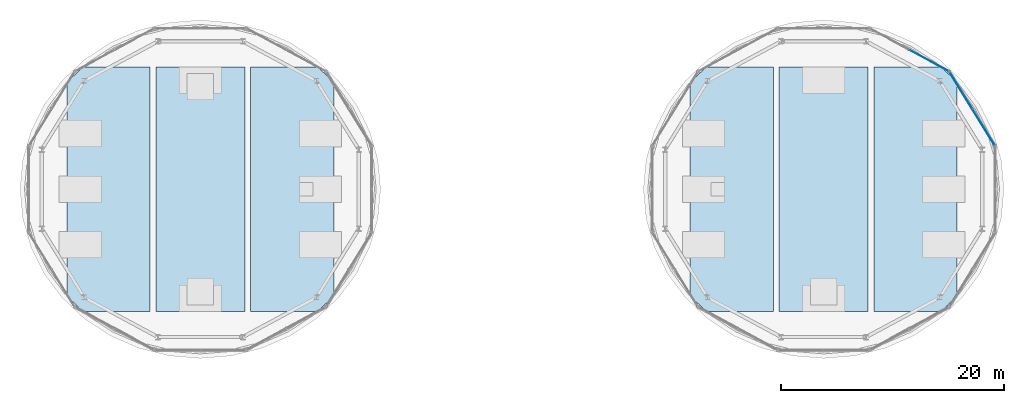
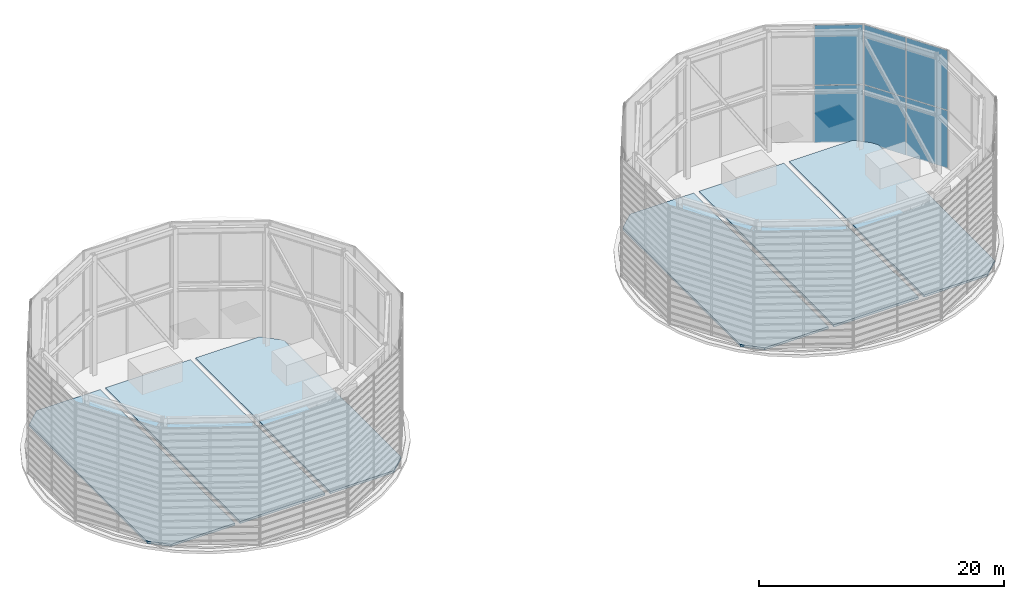
# One storey, part 12 of 17: 6 plates, 6 roofs, 2 elements without a shape of their own.
"""IFC4 building model written with IfcOpenShell, lengths in metres."""

import ifcopenshell
import ifcopenshell.guid

model = None  # the IFC model being written
_history = None  # IfcOwnerHistory: only IFC2X3 demands one
_inside = {}  # id of a spatial element -> (the spatial element, [elements in it])
_under = {}  # id of a project, library or spatial element -> (it, [spatial elements below it])
_declared = {}  # id of a project -> (the project, [libraries it declares])
_typed = {}  # id of a type object -> (the type object, [elements of that type])
_made_of = {}  # id of a material, layer set ... -> (it, [elements and type objects made of it])


def new_model(schema):
    """Start an empty IFC model of exactly this schema.

    Asked for "IFC4X3", IfcOpenShell would pick the latest addendum, in which some entities
    have other attributes; the version numbers below select the first issue.
    IFC2X3 requires an IfcOwnerHistory on every rooted entity: one is made here for all.
    """
    global model, _history
    if schema == "IFC4X3":
        model = ifcopenshell.file(schema_version=(4, 3, 0, 0))
    else:
        model = ifcopenshell.file(schema=schema)
    _inside.clear()
    _under.clear()
    _declared.clear()
    _typed.clear()
    _made_of.clear()
    _history = None
    if model.schema == "IFC2X3":
        org = make("IfcOrganization", Name="unknown")
        user = make(
            "IfcPersonAndOrganization",
            ThePerson=make("IfcPerson", FamilyName="unknown"),
            TheOrganization=org,
        )
        app = make(
            "IfcApplication",
            ApplicationDeveloper=org,
            Version="unknown",
            ApplicationFullName="unknown",
            ApplicationIdentifier="unknown",
        )
        _history = make(
            "IfcOwnerHistory",
            OwningUser=user,
            OwningApplication=app,
            ChangeAction="ADDED",
            CreationDate=0,
        )
    return model


def make(cls, **values):
    """One entity of the class cls with the attributes given. An attribute that is None is left unset."""
    return model.create_entity(
        cls, **{name: value for name, value in values.items() if value is not None}
    )


def rooted(cls, **values):
    """An entity with a GlobalId (a new one), such as an element, a storey or a relation."""
    return make(cls, GlobalId=ifcopenshell.guid.new(), OwnerHistory=_history, **values)


def si_unit(unit_type, name, prefix=None):
    """IfcSIUnit, for example si_unit("LENGTHUNIT", "METRE", prefix="MILLI")."""
    return make("IfcSIUnit", UnitType=unit_type, Prefix=prefix, Name=name)


def assignment(units):
    """IfcUnitAssignment: the units of a project."""
    return None if units is None else make("IfcUnitAssignment", Units=units)


def point(xyz):
    """IfcCartesianPoint."""
    return None if xyz is None else make("IfcCartesianPoint", Coordinates=xyz)


def direction(xyz):
    """IfcDirection."""
    return None if xyz is None else make("IfcDirection", DirectionRatios=xyz)


def frame(location, z_axis=None, x_axis=None):
    """IfcAxis2Placement3D, a coordinate frame: its origin and axes. An axis left out is left unset."""
    return make(
        "IfcAxis2Placement3D",
        Location=point(location),
        Axis=direction(z_axis),
        RefDirection=direction(x_axis),
    )


def frame_2d(location, x_axis=None):
    """IfcAxis2Placement2D, a coordinate frame in the plane: its origin and x axis."""
    return make(
        "IfcAxis2Placement2D", Location=point(location), RefDirection=direction(x_axis)
    )


def origin():
    """The frame at (0, 0, 0) with its axes left unset."""
    return frame((0.0, 0.0, 0.0))


def origin_2d():
    """The frame at (0, 0) in the plane with its x axis left unset."""
    return frame_2d((0.0, 0.0))


def place(relative_to, where):
    """IfcLocalPlacement: puts the frame where relative to a parent placement (None: the world)."""
    return make(
        "IfcLocalPlacement", PlacementRelTo=relative_to, RelativePlacement=where
    )


def context(
    kind, dimensions, precision=None, world=None, true_north=None, identifier=None
):
    """IfcGeometricRepresentationContext, for example the 3D "Model" context."""
    return make(
        "IfcGeometricRepresentationContext",
        ContextIdentifier=identifier,
        ContextType=kind,
        CoordinateSpaceDimension=dimensions,
        Precision=precision,
        WorldCoordinateSystem=world,
        TrueNorth=true_north,
    )


def subcontext(parent, identifier, kind, view, scale=None):
    """IfcGeometricRepresentationSubContext, for example "Body" below "Model"."""
    return make(
        "IfcGeometricRepresentationSubContext",
        ContextIdentifier=identifier,
        ContextType=kind,
        ParentContext=parent,
        TargetScale=scale,
        TargetView=view,
    )


def project(units=None, contexts=None):
    """IfcProject with its units and contexts."""
    return rooted(
        "IfcProject",
        Name="project",
        RepresentationContexts=contexts,
        UnitsInContext=assignment(units),
    )


def spatial(cls, under=None, at=None, **own):
    """A site, building, storey or space (cls), placed at a placement, below another one or the project."""
    s = rooted(cls, ObjectPlacement=at, **own)
    if under is not None:
        _under.setdefault(under.id(), (under, []))[1].append(s)
    return s


def polyline(points):
    """IfcPolyline through the points."""
    return make("IfcPolyline", Points=[point(p) for p in points])


def profile(cls, at=None, kind="AREA", **sizes):
    """A parametric profile (cls). Its sizes go by their IFC names, for example OverallWidth=200.0."""
    return make(cls, ProfileType=kind, Position=at, **sizes)


def rectangle(**sizes):
    """IfcRectangleProfileDef."""
    return profile("IfcRectangleProfileDef", **sizes)


def outline(outer, holes=None, kind="AREA"):
    """IfcArbitraryClosedProfileDef: a profile drawn as a closed curve; with holes, ...WithVoids."""
    if holes is None:
        return make("IfcArbitraryClosedProfileDef", ProfileType=kind, OuterCurve=outer)
    return make(
        "IfcArbitraryProfileDefWithVoids",
        ProfileType=kind,
        OuterCurve=outer,
        InnerCurves=holes,
    )


def extrude(swept, where, along, depth):
    """IfcExtrudedAreaSolid: the profile swept, set in the frame where, extruded along a direction by depth."""
    return make(
        "IfcExtrudedAreaSolid",
        SweptArea=swept,
        Position=where,
        ExtrudedDirection=direction(along),
        Depth=depth,
    )


def shape(context_of_items, identifier, shape_type, items):
    """IfcShapeRepresentation: the items that make up one representation, for example the "Body"."""
    return make(
        "IfcShapeRepresentation",
        ContextOfItems=context_of_items,
        RepresentationIdentifier=identifier,
        RepresentationType=shape_type,
        Items=items,
    )


def source(mapping_origin, context_of_items, identifier, shape_type, items):
    """IfcRepresentationMap: a shape defined once, which mapped items show again and again."""
    return make(
        "IfcRepresentationMap",
        MappingOrigin=mapping_origin,
        MappedRepresentation=shape(context_of_items, identifier, shape_type, items),
    )


def transform(
    local_origin,
    x_axis=None,
    y_axis=None,
    z_axis=None,
    scale=None,
    scale2=None,
    scale3=None,
    uniform=True,
):
    """IfcCartesianTransformationOperator3D, or its non-uniform kind. x_axis, y_axis, z_axis: its Axis1, 2, 3."""
    if uniform:
        return make(
            "IfcCartesianTransformationOperator3D",
            Axis1=direction(x_axis),
            Axis2=direction(y_axis),
            LocalOrigin=point(local_origin),
            Scale=scale,
            Axis3=direction(z_axis),
        )
    return make(
        "IfcCartesianTransformationOperator3DnonUniform",
        Axis1=direction(x_axis),
        Axis2=direction(y_axis),
        LocalOrigin=point(local_origin),
        Scale=scale,
        Axis3=direction(z_axis),
        Scale2=scale2,
        Scale3=scale3,
    )


def mapped(mapping_source, mapping_target):
    """IfcMappedItem: shows the shape of a source again, moved by a transform."""
    return make(
        "IfcMappedItem", MappingSource=mapping_source, MappingTarget=mapping_target
    )


def material(Name=None, Category=None):
    """IfcMaterial."""
    return make("IfcMaterial", Name=Name, Category=Category)


def layer(
    of_material, thickness, ventilated=None, Name=None, Category=None, Priority=None
):
    """IfcMaterialLayer: one layer of a wall or slab, of a material (None: an air gap)."""
    return make(
        "IfcMaterialLayer",
        Material=of_material,
        LayerThickness=thickness,
        IsVentilated=ventilated,
        Name=Name,
        Category=Category,
        Priority=Priority,
    )


def layer_set(layers, Name=None):
    """IfcMaterialLayerSet."""
    return make("IfcMaterialLayerSet", MaterialLayers=layers, LayerSetName=Name)


def made_of(thing, what):
    """Note that an element or type object is made of a material, layer set ...; save() writes the relation."""
    if what is not None:
        _made_of.setdefault(what.id(), (what, []))[1].append(thing)
    return thing


def type_object(cls, material=None, **own):
    """A type object (cls), such as IfcWallType, which elements share."""
    return made_of(rooted(cls, **own), material)


def type_shapes(of_type, sources):
    """Give a type object the sources (RepresentationMaps) that its elements show as mapped items."""
    of_type.RepresentationMaps = sources


def element(
    cls,
    number,
    at=None,
    inside=None,
    cuts=None,
    type_object=None,
    material=None,
    context=None,
    identifier="Body",
    shape_type=None,
    held_by="IfcProductDefinitionShape",
    body=None,
    shapes=None,
    **own,
):
    """One element of the class cls, such as IfcWall. Its Tag is "e" and its number.

    at: its placement. inside: the storey or other place that contains it. cuts: it is an
    opening in that element (IfcRelVoidsElement). A single representation is given by context,
    identifier, shape_type and body (its items); several are given by shapes. held_by: the class
    of the entity that holds the representations. save() writes the other relations.
    """
    e = rooted(cls, Tag="e%d" % number, ObjectPlacement=at, **own)
    if body is not None:
        shapes = [shape(context, identifier, shape_type, body)]
    if shapes is not None:
        e.Representation = make(held_by, Representations=shapes)
    if inside is not None:
        _inside.setdefault(inside.id(), (inside, []))[1].append(e)
    if cuts is not None:
        rooted(
            "IfcRelVoidsElement", RelatingBuildingElement=cuts, RelatedOpeningElement=e
        )
    if type_object is not None:
        _typed.setdefault(type_object.id(), (type_object, []))[1].append(e)
    return made_of(e, material)


def aggregate(whole, parts):
    """IfcRelAggregates: a whole, such as a stair, and the parts it consists of."""
    return rooted("IfcRelAggregates", RelatingObject=whole, RelatedObjects=parts)


def save(model, path):
    """Write the relations noted so far, then the file.

    IfcRelAggregates (storeys below a building ...), IfcRelContainedInSpatialStructure (elements
    in a storey), IfcRelDefinesByType, IfcRelAssociatesMaterial and IfcRelDeclares: one each for
    every whole, place, type object, material and project.
    """
    for whole, parts in _under.values():
        aggregate(whole, parts)
    for where, things in _inside.values():
        rooted(
            "IfcRelContainedInSpatialStructure",
            RelatedElements=things,
            RelatingStructure=where,
        )
    for kind, things in _typed.values():
        rooted("IfcRelDefinesByType", RelatedObjects=things, RelatingType=kind)
    for what, things in _made_of.values():
        rooted("IfcRelAssociatesMaterial", RelatedObjects=things, RelatingMaterial=what)
    for by, libraries in _declared.values():
        rooted("IfcRelDeclares", RelatingContext=by, RelatedDefinitions=libraries)
    model.write(path)


model = new_model("IFC4")

# Units and contexts
model_context = context("Model", 3, precision=1e-05, world=origin(), true_north=direction((0.0, 1.0)))
body_context = subcontext(model_context, "Body", "Model", "MODEL_VIEW")
ifc_project = project(units=[si_unit("LENGTHUNIT", "METRE"), si_unit("AREAUNIT", "SQUARE_METRE"), si_unit("VOLUMEUNIT", "CUBIC_METRE"), si_unit("PLANEANGLEUNIT", "RADIAN"), si_unit("MASSUNIT", "GRAM", prefix="KILO")], contexts=[model_context])

# Site, building, storey
site_placement = place(None, origin())
site = spatial("IfcSite", under=ifc_project, at=site_placement, CompositionType="ELEMENT")
building_placement = place(site_placement, origin())
building = spatial("IfcBuilding", under=site, at=building_placement, Name="Norrkilde Senior Care Towers", CompositionType="ELEMENT")
storey_placement = place(building_placement, frame((0.0, 0.0, 249.85009765625)))
storey = spatial("IfcBuildingStorey", under=building, at=storey_placement, Name="RF", CompositionType="ELEMENT", Elevation=249.85009765625)

# Curtain wall, plates
ifc_material_1 = material(Name="Triple Low-E Insulated Glazing", Category="glass")
ifc_layer_1 = layer(ifc_material_1, 0.205078125)
ifc_layer_set_1 = layer_set([ifc_layer_1], Name="Triple Low-E Insulated Glazing")
curtain_wall_type = type_object("IfcCurtainWallType", Name="CW7 L76 Damper Lantern Clear Curtain Wall", PredefinedType="NOTDEFINED", material=ifc_layer_set_1)
curtain_wall_1_placement = place(storey_placement, origin())
curtain_wall_1 = element("IfcCurtainWall", 1, at=curtain_wall_1_placement, inside=storey, type_object=curtain_wall_type, Name="RF Ring Crown E Screen Wall 00", PredefinedType="NOTDEFINED")
ifc_material_2 = material(Name="Architectural Terracotta", Category="masonry")
ifc_layer_2 = layer(ifc_material_2, 0.031982421875)
ifc_layer_set_2 = layer_set([ifc_layer_2], Name="Architectural Terracotta")
plate_type = type_object("IfcPlateType", Name="Crown Louvred Terracotta Screen Panel 32", PredefinedType="CURTAIN_PANEL", material=ifc_layer_set_2)
shared_shape_1 = source(origin(), body_context, "Body", "SweptSolid", [
    extrude(rectangle(XDim=3.845703125, YDim=0.031982421875, at=origin_2d()), origin(), (0.0, 0.0, 1.0), 5.702392578125),
])
plate_1_placement = place(storey_placement, frame((40.318359375, 8.883056640625, 0.06494140625), z_axis=(0.0, 0.0, 1.0), x_axis=(0.524458342684, -0.85143610846, 0.0)))
plate_1 = element("IfcPlate", 2, at=plate_1_placement, type_object=plate_type, Name="CW-7 panel 1.1", PredefinedType="CURTAIN_PANEL", context=body_context, shape_type="MappedRepresentation", body=[
    mapped(shared_shape_1, transform((0.0, 0.0, 0.0), x_axis=(1.0, 0.0, 0.0), y_axis=(0.0, 1.0, 0.0), z_axis=(0.0, 0.0, 1.0), scale=1.0)),
])
plate_2_placement = place(storey_placement, frame((42.36669921875, 5.5576171875, 0.06494140625), z_axis=(0.0, 0.0, 1.0), x_axis=(0.524458342684, -0.85143610846, 0.0)))
plate_2 = element("IfcPlate", 3, at=plate_2_placement, type_object=plate_type, Name="CW-7 panel 2.1", PredefinedType="CURTAIN_PANEL", context=body_context, shape_type="MappedRepresentation", body=[
    mapped(shared_shape_1, transform((0.0, 0.0, 0.0), x_axis=(1.0, 0.0, 0.0), y_axis=(0.0, 1.0, 0.0), z_axis=(0.0, 0.0, 1.0), scale=1.0)),
])
shared_shape_2 = source(origin(), body_context, "Body", "SweptSolid", [
    extrude(rectangle(XDim=3.845703125, YDim=0.031982421875, at=origin_2d()), origin(), (0.0, 0.0, 1.0), 5.952392578125),
])
plate_3_placement = place(storey_placement, frame((40.318359375, 8.883056640625, 5.83251953125), z_axis=(0.0, 0.0, 1.0), x_axis=(0.524458342684, -0.85143610846, 0.0)))
plate_3 = element("IfcPlate", 4, at=plate_3_placement, type_object=plate_type, Name="CW-7 panel 1.2", PredefinedType="CURTAIN_PANEL", context=body_context, shape_type="MappedRepresentation", body=[
    mapped(shared_shape_2, transform((0.0, 0.0, 0.0), x_axis=(1.0, 0.0, 0.0), y_axis=(0.0, 1.0, 0.0), z_axis=(0.0, 0.0, 1.0), scale=1.0)),
])
plate_4_placement = place(storey_placement, frame((42.36669921875, 5.5576171875, 5.83251953125), z_axis=(0.0, 0.0, 1.0), x_axis=(0.524458342684, -0.85143610846, 0.0)))
plate_4 = element("IfcPlate", 5, at=plate_4_placement, type_object=plate_type, Name="CW-7 panel 2.2", PredefinedType="CURTAIN_PANEL", context=body_context, shape_type="MappedRepresentation", body=[
    mapped(shared_shape_2, transform((0.0, 0.0, 0.0), x_axis=(1.0, 0.0, 0.0), y_axis=(0.0, 1.0, 0.0), z_axis=(0.0, 0.0, 1.0), scale=1.0)),
])
aggregate(curtain_wall_1, [plate_1, plate_3, plate_2, plate_4])

curtain_wall_2_placement = place(storey_placement, origin())
curtain_wall_2 = element("IfcCurtainWall", 6, at=curtain_wall_2_placement, inside=storey, type_object=curtain_wall_type, Name="RF Ring Crown E Screen Wall 01", PredefinedType="NOTDEFINED")
shared_shape_3 = source(origin(), body_context, "Body", "SweptSolid", [
    extrude(rectangle(XDim=3.97509765625, YDim=0.031982421875, at=origin_2d()), origin(), (0.0, 0.0, 1.0), 5.702392578125),
])
plate_5_placement = place(storey_placement, frame((37.4775390625, 11.545654296875, 0.06494140625), z_axis=(0.0, 0.0, 1.0), x_axis=(0.879481153886, -0.475933713829, 0.0)))
plate_5 = element("IfcPlate", 7, at=plate_5_placement, type_object=plate_type, Name="CW-7 panel 2.1", PredefinedType="CURTAIN_PANEL", context=body_context, shape_type="MappedRepresentation", body=[
    mapped(shared_shape_3, transform((0.0, 0.0, 0.0), x_axis=(1.0, 0.0, 0.0), y_axis=(0.0, 1.0, 0.0), z_axis=(0.0, 0.0, 1.0), scale=1.0)),
])
shared_shape_4 = source(origin(), body_context, "Body", "SweptSolid", [
    extrude(rectangle(XDim=3.97509765625, YDim=0.031982421875, at=origin_2d()), origin(), (0.0, 0.0, 1.0), 5.952392578125),
])
type_shapes(plate_type, [shared_shape_1, shared_shape_2, shared_shape_3, shared_shape_4])
plate_6_placement = place(storey_placement, frame((37.4775390625, 11.545654296875, 5.83251953125), z_axis=(0.0, 0.0, 1.0), x_axis=(0.879481153886, -0.475933713829, 0.0)))
plate_6 = element("IfcPlate", 8, at=plate_6_placement, type_object=plate_type, Name="CW-7 panel 2.2", PredefinedType="CURTAIN_PANEL", context=body_context, shape_type="MappedRepresentation", body=[
    mapped(shared_shape_4, transform((0.0, 0.0, 0.0), x_axis=(1.0, 0.0, 0.0), y_axis=(0.0, 1.0, 0.0), z_axis=(0.0, 0.0, 1.0), scale=1.0)),
])
aggregate(curtain_wall_2, [plate_5, plate_6])

# Roofs
ifc_material_3 = material(Name="EPDM Waterproofing and PIR Insulation")
ifc_layer_3 = layer(ifc_material_3, 0.219970703125)
ifc_layer_set_3 = layer_set([ifc_layer_3], Name="EPDM Waterproofing and PIR Insulation")
roof_type = type_object("IfcRoofType", Name="Garden and Crown Insulated Flat Roof", PredefinedType="FLAT_ROOF", material=ifc_layer_set_3)
roof_1_placement = place(storey_placement, frame((0.0, 0.0, 0.02001953125)))
element("IfcRoof", 9, at=roof_1_placement, inside=storey, type_object=roof_type, Name="RF Drum W Insulated Flat Roof Bay 1", PredefinedType="FLAT_ROOF", context=body_context, shape_type="SweptSolid", body=[
    extrude(outline(polyline([(-40.0, -9.6064453125), (-40.0, 9.6064453125), (-38.514892578125, 11.0), (-32.5, 11.0), (-32.5, -11.0), (-38.514892578125, -11.0), (-40.0, -9.6064453125)])), origin(), (0.0, 0.0, 1.0), 0.219970703125),
])
roof_2_placement = place(storey_placement, frame((0.0, 0.0, 0.02001953125)))
element("IfcRoof", 10, at=roof_2_placement, inside=storey, type_object=roof_type, Name="RF Drum W Insulated Flat Roof Bay 2", PredefinedType="FLAT_ROOF", context=body_context, shape_type="SweptSolid", body=[
    extrude(outline(polyline([(-32.0, -11.0), (-32.0, 11.0), (-24.0, 11.0), (-24.0, -11.0), (-32.0, -11.0)])), origin(), (0.0, 0.0, 1.0), 0.219970703125),
])
roof_3_placement = place(storey_placement, frame((0.0, 0.0, 0.02001953125)))
element("IfcRoof", 11, at=roof_3_placement, inside=storey, type_object=roof_type, Name="RF Drum W Insulated Flat Roof Bay 3", PredefinedType="FLAT_ROOF", context=body_context, shape_type="SweptSolid", body=[
    extrude(outline(polyline([(-17.485107421875, -11.0), (-23.5, -11.0), (-23.5, 11.0), (-17.485107421875, 11.0), (-16.0, 9.6064453125), (-16.0, -9.6064453125), (-17.485107421875, -11.0)])), origin(), (0.0, 0.0, 1.0), 0.219970703125),
])
roof_4_placement = place(storey_placement, frame((0.0, 0.0, 0.02001953125)))
element("IfcRoof", 12, at=roof_4_placement, inside=storey, type_object=roof_type, Name="RF Drum E Insulated Flat Roof Bay 1", PredefinedType="FLAT_ROOF", context=body_context, shape_type="SweptSolid", body=[
    extrude(outline(polyline([(16.0, -9.6064453125), (16.0, 9.6064453125), (17.485107421875, 11.0), (23.5, 11.0), (23.5, -11.0), (17.485107421875, -11.0), (16.0, -9.6064453125)])), origin(), (0.0, 0.0, 1.0), 0.219970703125),
])
roof_5_placement = place(storey_placement, frame((0.0, 0.0, 0.02001953125)))
element("IfcRoof", 13, at=roof_5_placement, inside=storey, type_object=roof_type, Name="RF Drum E Insulated Flat Roof Bay 2", PredefinedType="FLAT_ROOF", context=body_context, shape_type="SweptSolid", body=[
    extrude(outline(polyline([(24.0, -11.0), (24.0, 11.0), (32.0, 11.0), (32.0, -11.0), (24.0, -11.0)])), origin(), (0.0, 0.0, 1.0), 0.219970703125),
])
roof_6_placement = place(storey_placement, frame((0.0, 0.0, 0.02001953125)))
element("IfcRoof", 14, at=roof_6_placement, inside=storey, type_object=roof_type, Name="RF Drum E Insulated Flat Roof Bay 3", PredefinedType="FLAT_ROOF", context=body_context, shape_type="SweptSolid", body=[
    extrude(outline(polyline([(38.514892578125, -11.0), (32.5, -11.0), (32.5, 11.0), (38.514892578125, 11.0), (40.0, 9.6064453125), (40.0, -9.6064453125), (38.514892578125, -11.0)])), origin(), (0.0, 0.0, 1.0), 0.219970703125),
])

save(model, "model.ifc")
